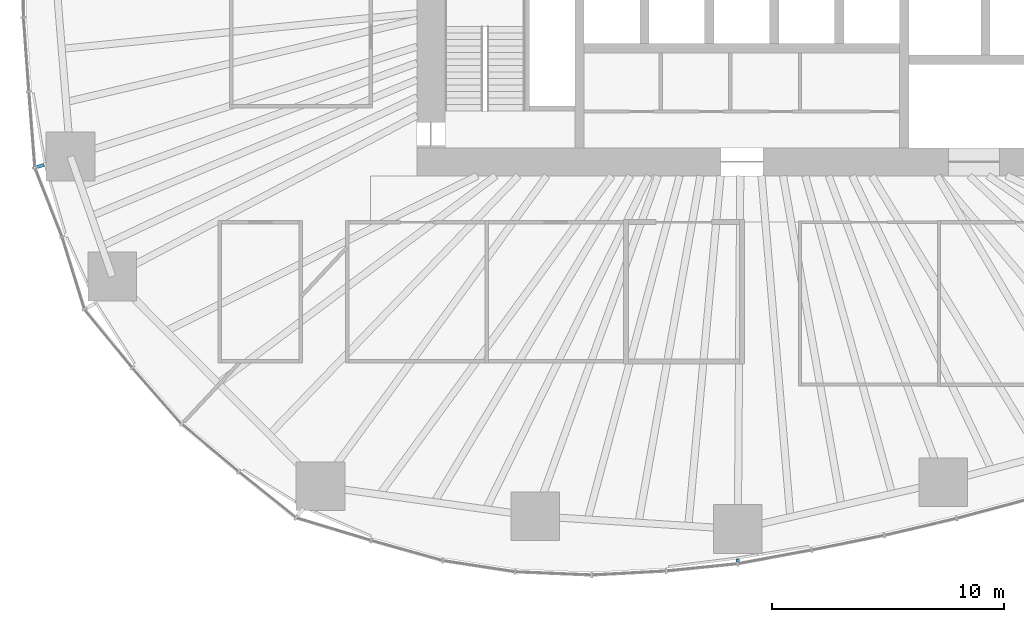
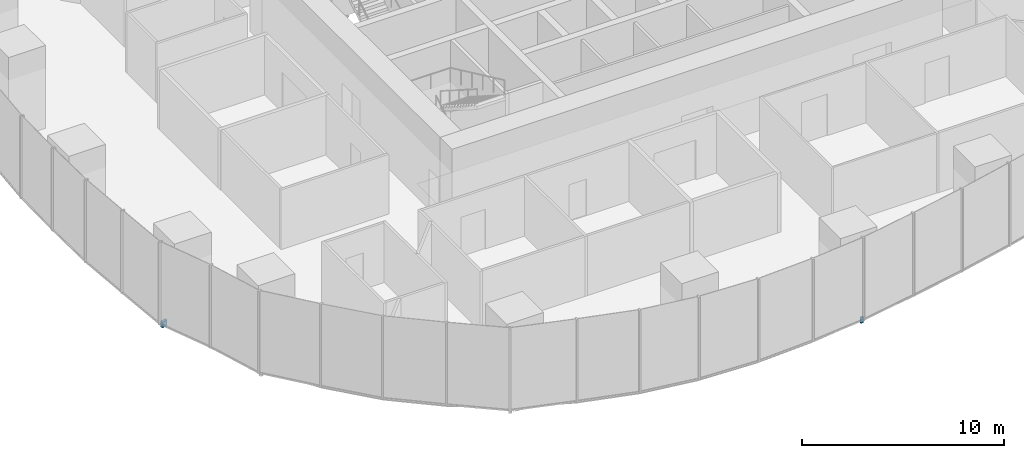
# One storey, part 13 of 20: 2 discrete accessories.
"""IFC4 building model written with IfcOpenShell, lengths in metres."""

from ifc_helpers import new_model, si_unit, direction, frame, origin, origin_2d, place, context, subcontext, project, spatial, rectangle, extrude, material, type_object, element, save


model = new_model("IFC4")

# Units and contexts
model_context = context("Model", 3, precision=1e-05, world=origin(), true_north=direction((0.0, 1.0)))
body_context = subcontext(model_context, "Body", "Model", "MODEL_VIEW")
ifc_project = project(units=[si_unit("LENGTHUNIT", "METRE"), si_unit("AREAUNIT", "SQUARE_METRE"), si_unit("VOLUMEUNIT", "CUBIC_METRE"), si_unit("PLANEANGLEUNIT", "RADIAN"), si_unit("MASSUNIT", "GRAM", prefix="KILO")], contexts=[model_context])

# Site, building, storey
site_placement = place(None, origin())
site = spatial("IfcSite", under=ifc_project, at=site_placement, CompositionType="ELEMENT")
building_placement = place(site_placement, origin())
building = spatial("IfcBuilding", under=site, at=building_placement, Name="Ghaith Harvest Tower", CompositionType="ELEMENT")
storey_placement = place(building_placement, frame((0.0, 0.0, 35.0)))
storey = spatial("IfcBuildingStorey", under=building, at=storey_placement, Name="L07", CompositionType="ELEMENT", Elevation=35.0)

# Discrete accessories
ifc_material_1 = material(Name="Stainless steel grade 1.4401", Category="steel")
discrete_accessory_type_1 = type_object("IfcDiscreteAccessoryType", Name="CURTAIN WALL BRACKET 315", PredefinedType="BRACKET", material=ifc_material_1)
discrete_accessory_1_placement = place(storey_placement, frame((-30.219482421875, -9.5771484375, -0.25), z_axis=(0.0, 0.0, 1.0), x_axis=(-0.953273219416, -0.302109531701, 0.0)))
element("IfcDiscreteAccessory", 1, at=discrete_accessory_1_placement, inside=storey, type_object=discrete_accessory_type_1, Name="CW-F bracket 1 bay 12 L07", PredefinedType="BRACKET", context=body_context, shape_type="SweptSolid", body=[
    extrude(rectangle(XDim=0.31494140625, YDim=0.14990234375, at=origin_2d()), origin(), (0.0, 0.0, 1.0), 0.35009765625),
])
ifc_material_2 = material(Name="Stainless steel grade 1.4401", Category="steel")
discrete_accessory_type_2 = type_object("IfcDiscreteAccessoryType", Name="CURTAIN WALL BRACKET 95", PredefinedType="BRACKET", material=ifc_material_2)
discrete_accessory_2_placement = place(storey_placement, frame((-0.181884765625, -26.569580078125, -0.25), z_axis=(0.0, 0.0, 1.0), x_axis=(-0.006843747957, -0.999976581283, 0.0)))
element("IfcDiscreteAccessory", 2, at=discrete_accessory_2_placement, inside=storey, type_object=discrete_accessory_type_2, Name="CW-F bracket 1 bay 16 L07", PredefinedType="BRACKET", context=body_context, shape_type="SweptSolid", body=[
    extrude(rectangle(XDim=0.094970703125, YDim=0.14990234375, at=origin_2d()), origin(), (0.0, 0.0, 1.0), 0.35009765625),
])

save(model, "model.ifc")
